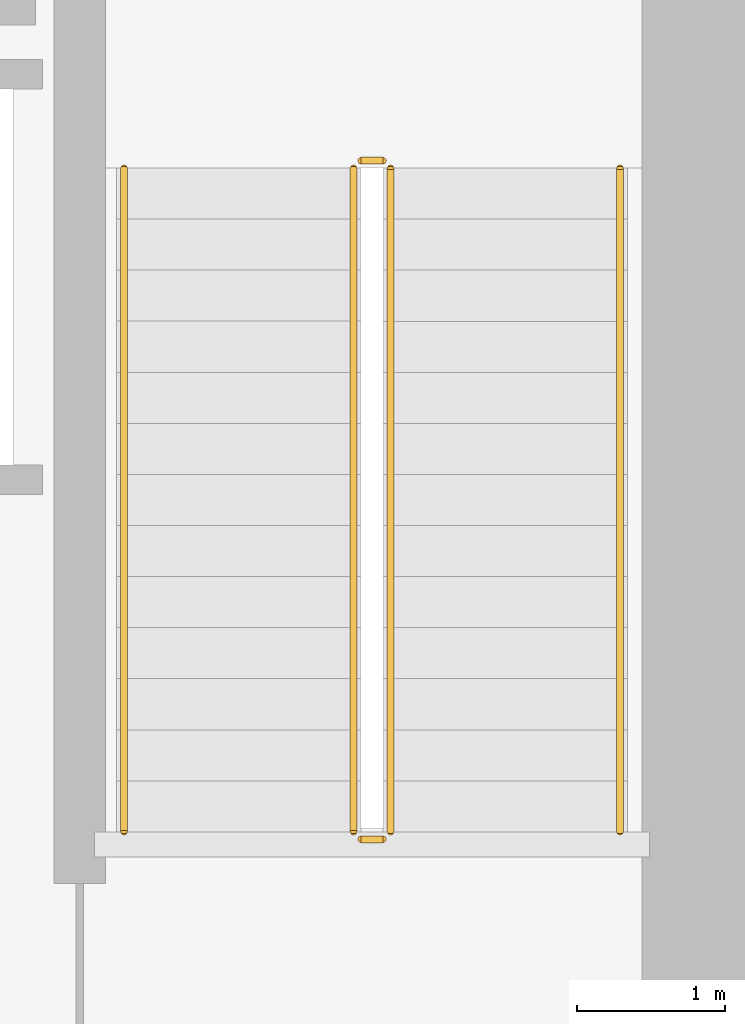
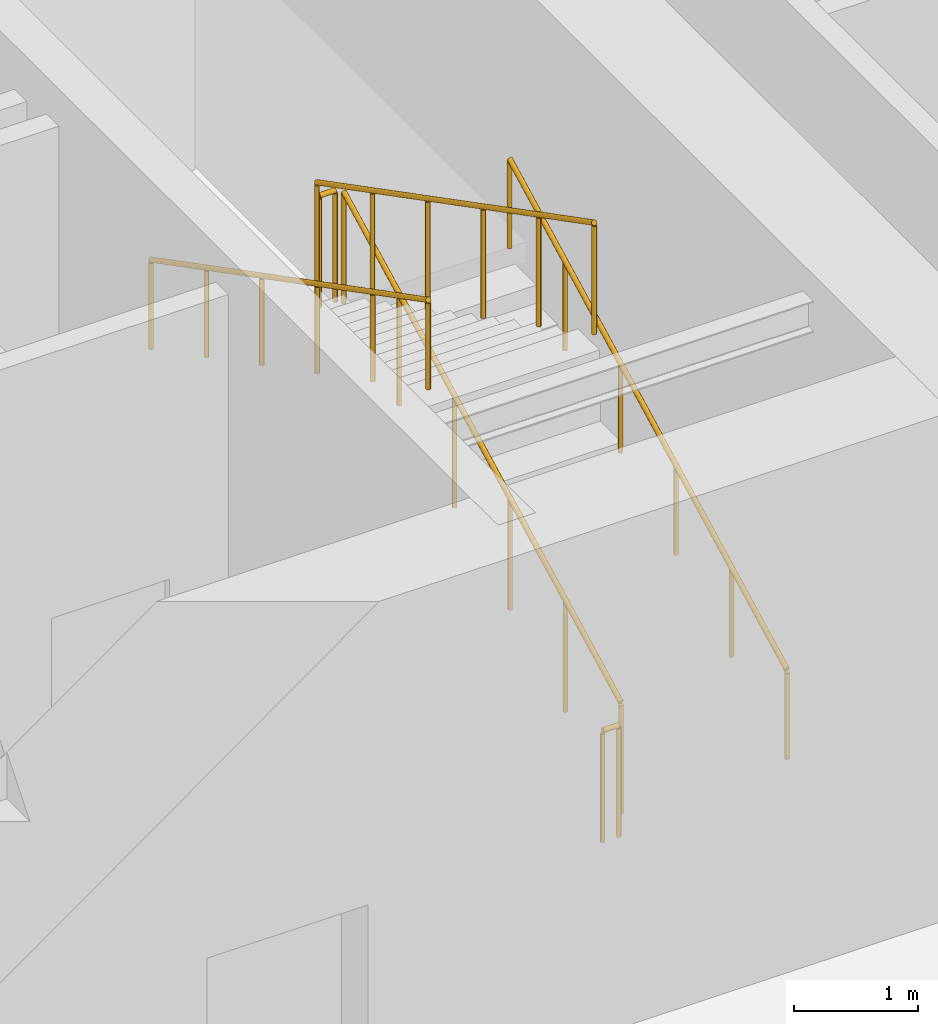
# One storey, part 22 of 24: 6 railings.
"""IFC4 building model written with IfcOpenShell, lengths in metres."""

from ifc_helpers import new_model, si_unit, direction, frame, origin, origin_2d, place, context, subcontext, project, spatial, circle, extrude, material, type_object, element, save


model = new_model("IFC4")

# Units and contexts
model_context = context("Model", 3, precision=1e-05, world=origin(), true_north=direction((0.0, 1.0)))
body_context = subcontext(model_context, "Body", "Model", "MODEL_VIEW")
ifc_project = project(units=[si_unit("LENGTHUNIT", "METRE"), si_unit("AREAUNIT", "SQUARE_METRE"), si_unit("VOLUMEUNIT", "CUBIC_METRE"), si_unit("PLANEANGLEUNIT", "RADIAN"), si_unit("MASSUNIT", "GRAM", prefix="KILO")], contexts=[model_context])

# Site, building, storey
site_placement = place(None, origin())
site = spatial("IfcSite", under=ifc_project, at=site_placement, CompositionType="ELEMENT")
building_placement = place(site_placement, origin())
building = spatial("IfcBuilding", under=site, at=building_placement, Name="Tolvann Quenvar Hotel", CompositionType="ELEMENT")
storey_placement = place(building_placement, frame((0.0, 0.0, 6.0)))
storey = spatial("IfcBuildingStorey", under=building, at=storey_placement, Name="L01", CompositionType="ELEMENT", Elevation=6.0)

# Railings
ifc_material = material(Name="Brushed 316 stainless steel balustrade and handrail", Category="steel")
railing_type_1 = type_object("IfcRailingType", Name="GUARDRAIL", PredefinedType="GUARDRAIL", material=ifc_material)
railing_1_placement = place(storey_placement, frame((33.800048828125, 34.0, 0.178466796875)))
element("IfcRailing", 1, at=railing_1_placement, inside=storey, type_object=railing_type_1, Name="L01 ST-C2 stair guard 1", PredefinedType="GUARDRAIL", context=body_context, shape_type="SweptSolid", body=[
    extrude(circle(Radius=0.02392578125, at=origin_2d()), frame((0.0, 0.0, 1.09619140625), z_axis=(0.0, 0.888084280779, 0.459680661147), x_axis=(-1.0, 0.0, 0.0)), (0.0, 0.0, 1.0), 5.05029296875),
    extrude(circle(Radius=0.02099609375, at=origin_2d()), origin(), (0.0, 0.0, 1.0), 1.072021484375),
    extrude(circle(Radius=0.02099609375, at=origin_2d()), frame((0.0, 0.89697265625, 0.46435546875)), (0.0, 0.0, 1.0), 1.072021484375),
    extrude(circle(Radius=0.02099609375, at=origin_2d()), frame((0.0, 1.7939453125, 0.9287109375)), (0.0, 0.0, 1.0), 1.072021484375),
    extrude(circle(Radius=0.02099609375, at=origin_2d()), frame((0.0, 2.691162109375, 1.392822265625)), (0.0, 0.0, 1.0), 1.072021484375),
    extrude(circle(Radius=0.02099609375, at=origin_2d()), frame((0.0, 3.588134765625, 1.857177734375)), (0.0, 0.0, 1.0), 1.072021484375),
    extrude(circle(Radius=0.02099609375, at=origin_2d()), frame((0.0, 4.485107421875, 2.321533203125)), (0.0, 0.0, 1.0), 1.072021484375),
])
railing_2_placement = place(storey_placement, frame((33.75, 38.534912109375, 2.5)))
element("IfcRailing", 2, at=railing_2_placement, inside=storey, type_object=railing_type_1, Name="L01 ST-C2 stair guard 2", PredefinedType="GUARDRAIL", context=body_context, shape_type="SweptSolid", body=[
    extrude(circle(Radius=0.02392578125, at=origin_2d()), frame((0.0, 0.0, 1.09619140625), z_axis=(-1.0, 0.0, 0.0), x_axis=(0.0, -1.0, 0.0)), (0.0, 0.0, 1.0), 0.14990234375),
    extrude(circle(Radius=0.02099609375, at=origin_2d()), origin(), (0.0, 0.0, 1.0), 1.072021484375),
    extrude(circle(Radius=0.02099609375, at=origin_2d()), frame((-0.14990234375, 0.0, 0.0)), (0.0, 0.0, 1.0), 1.072021484375),
])
railing_3_placement = place(storey_placement, frame((33.550048828125, 38.485107421875, 2.678466796875)))
element("IfcRailing", 3, at=railing_3_placement, inside=storey, type_object=railing_type_1, Name="L01 ST-C2 stair guard 3", PredefinedType="GUARDRAIL", context=body_context, shape_type="SweptSolid", body=[
    extrude(circle(Radius=0.02392578125, at=origin_2d()), frame((0.0, 0.0, 1.09619140625), z_axis=(0.0, -0.888084280779, 0.459680661147), x_axis=(1.0, 0.0, 0.0)), (0.0, 0.0, 1.0), 5.05029296875),
    extrude(circle(Radius=0.02099609375, at=origin_2d()), origin(), (0.0, 0.0, 1.0), 1.072021484375),
    extrude(circle(Radius=0.02099609375, at=origin_2d()), frame((0.0, -0.89697265625, 0.46435546875)), (0.0, 0.0, 1.0), 1.072021484375),
    extrude(circle(Radius=0.02099609375, at=origin_2d()), frame((0.0, -1.7939453125, 0.9287109375)), (0.0, 0.0, 1.0), 1.072021484375),
    extrude(circle(Radius=0.02099609375, at=origin_2d()), frame((0.0, -2.691162109375, 1.392822265625)), (0.0, 0.0, 1.0), 1.072021484375),
    extrude(circle(Radius=0.02099609375, at=origin_2d()), frame((0.0, -3.588134765625, 1.857177734375)), (0.0, 0.0, 1.0), 1.072021484375),
    extrude(circle(Radius=0.02099609375, at=origin_2d()), frame((0.0, -4.485107421875, 2.321533203125)), (0.0, 0.0, 1.0), 1.072021484375),
])
railing_4_placement = place(storey_placement, frame((33.75, 33.949951171875, 0.0)))
element("IfcRailing", 4, at=railing_4_placement, inside=storey, type_object=railing_type_1, Name="L01 ST-C2 stair guard 4", PredefinedType="GUARDRAIL", context=body_context, shape_type="SweptSolid", body=[
    extrude(circle(Radius=0.02392578125, at=origin_2d()), frame((0.0, 0.0, 1.09619140625), z_axis=(-1.0, 0.0, 0.0), x_axis=(0.0, -1.0, 0.0)), (0.0, 0.0, 1.0), 0.14990234375),
    extrude(circle(Radius=0.02099609375, at=origin_2d()), origin(), (0.0, 0.0, 1.0), 1.072021484375),
    extrude(circle(Radius=0.02099609375, at=origin_2d()), frame((-0.14990234375, 0.0, 0.0)), (0.0, 0.0, 1.0), 1.072021484375),
])
railing_type_2 = type_object("IfcRailingType", Name="HANDRAIL", PredefinedType="HANDRAIL", material=ifc_material)
railing_5_placement = place(storey_placement, frame((35.35009765625, 34.0, 0.178466796875)))
element("IfcRailing", 5, at=railing_5_placement, inside=storey, type_object=railing_type_2, Name="L01 ST-C2 stair handrail 1", PredefinedType="HANDRAIL", context=body_context, shape_type="SweptSolid", body=[
    extrude(circle(Radius=0.02392578125, at=origin_2d()), frame((0.0, 0.0, 0.8759765625), z_axis=(0.0, 0.888084280779, 0.459680661147), x_axis=(-1.0, 0.0, 0.0)), (0.0, 0.0, 1.0), 5.05029296875),
    extrude(circle(Radius=0.02099609375, at=origin_2d()), origin(), (0.0, 0.0, 1.0), 0.851806640625),
    extrude(circle(Radius=0.02099609375, at=origin_2d()), frame((0.0, 0.89697265625, 0.46435546875)), (0.0, 0.0, 1.0), 0.851806640625),
    extrude(circle(Radius=0.02099609375, at=origin_2d()), frame((0.0, 1.7939453125, 0.9287109375)), (0.0, 0.0, 1.0), 0.851806640625),
    extrude(circle(Radius=0.02099609375, at=origin_2d()), frame((0.0, 2.691162109375, 1.392822265625)), (0.0, 0.0, 1.0), 0.851806640625),
    extrude(circle(Radius=0.02099609375, at=origin_2d()), frame((0.0, 3.588134765625, 1.857177734375)), (0.0, 0.0, 1.0), 0.851806640625),
    extrude(circle(Radius=0.02099609375, at=origin_2d()), frame((0.0, 4.485107421875, 2.321533203125)), (0.0, 0.0, 1.0), 0.851806640625),
])
railing_6_placement = place(storey_placement, frame((32.0, 38.485107421875, 2.678466796875)))
element("IfcRailing", 6, at=railing_6_placement, inside=storey, type_object=railing_type_2, Name="L01 ST-C2 stair handrail 2", PredefinedType="HANDRAIL", context=body_context, shape_type="SweptSolid", body=[
    extrude(circle(Radius=0.02392578125, at=origin_2d()), frame((0.0, 0.0, 0.8759765625), z_axis=(0.0, -0.888084280779, 0.459680661147), x_axis=(1.0, 0.0, 0.0)), (0.0, 0.0, 1.0), 5.05029296875),
    extrude(circle(Radius=0.02099609375, at=origin_2d()), origin(), (0.0, 0.0, 1.0), 0.851806640625),
    extrude(circle(Radius=0.02099609375, at=origin_2d()), frame((0.0, -0.89697265625, 0.46435546875)), (0.0, 0.0, 1.0), 0.851806640625),
    extrude(circle(Radius=0.02099609375, at=origin_2d()), frame((0.0, -1.7939453125, 0.9287109375)), (0.0, 0.0, 1.0), 0.851806640625),
    extrude(circle(Radius=0.02099609375, at=origin_2d()), frame((0.0, -2.691162109375, 1.392822265625)), (0.0, 0.0, 1.0), 0.851806640625),
    extrude(circle(Radius=0.02099609375, at=origin_2d()), frame((0.0, -3.588134765625, 1.857177734375)), (0.0, 0.0, 1.0), 0.851806640625),
    extrude(circle(Radius=0.02099609375, at=origin_2d()), frame((0.0, -4.485107421875, 2.321533203125)), (0.0, 0.0, 1.0), 0.851806640625),
])

save(model, "model.ifc")
